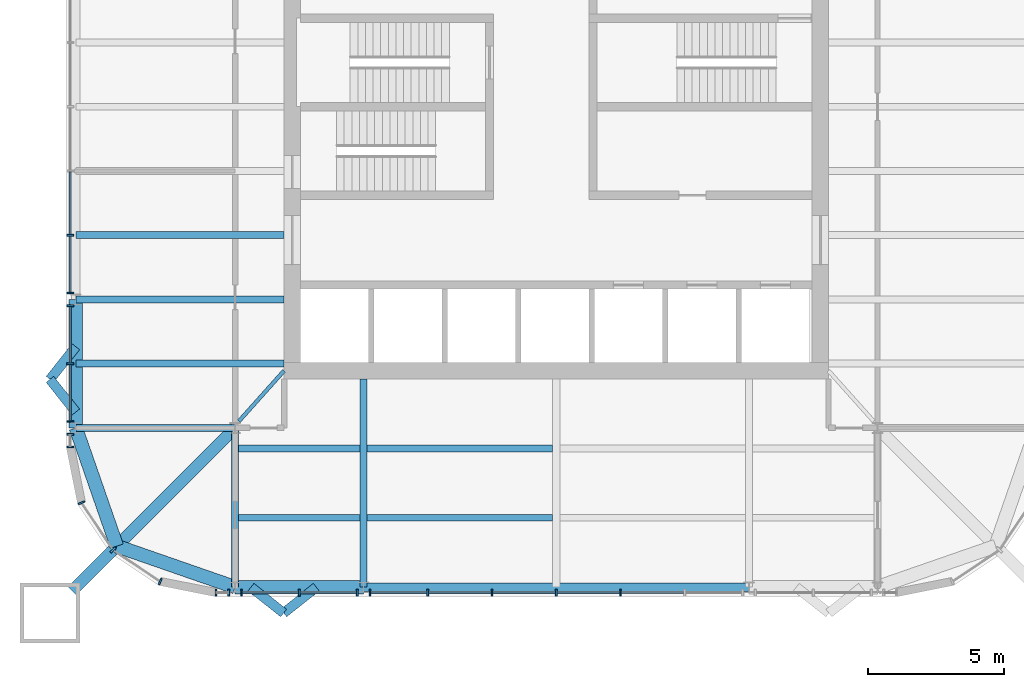
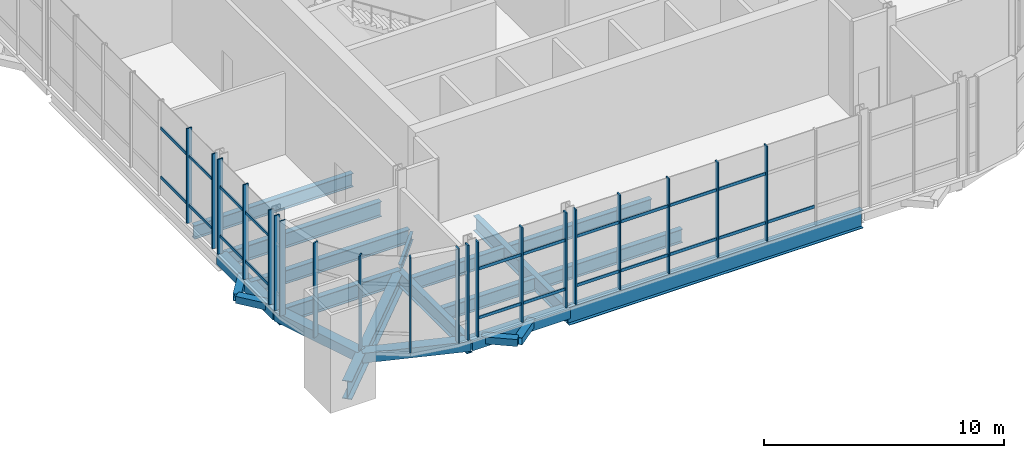
# One storey, part 2 of 15: 41 members, 21 beams, 7 elements without a shape of their own.
"""IFC4 building model written with IfcOpenShell, lengths in metres."""

from ifc_helpers import new_model, si_unit, direction, frame, origin, origin_2d, place, context, subcontext, project, spatial, rectangle, hollow_rectangle, i_section, extrude, material, material_profile, profile_set, type_object, element, aggregate, save


model = new_model("IFC4")

# Units and contexts
model_context = context("Model", 3, precision=1e-05, world=origin(), true_north=direction((0.0, 1.0)))
body_context = subcontext(model_context, "Body", "Model", "MODEL_VIEW")
ifc_project = project(units=[si_unit("LENGTHUNIT", "METRE"), si_unit("AREAUNIT", "SQUARE_METRE"), si_unit("VOLUMEUNIT", "CUBIC_METRE"), si_unit("PLANEANGLEUNIT", "RADIAN"), si_unit("MASSUNIT", "GRAM", prefix="KILO")], contexts=[model_context])

# Site, building, storey
site_placement = place(None, origin())
site = spatial("IfcSite", under=ifc_project, at=site_placement, CompositionType="ELEMENT")
building_placement = place(site_placement, origin())
building = spatial("IfcBuilding", under=site, at=building_placement, Name="Turquesa Mirador Hotel Tower", CompositionType="ELEMENT")
storey_placement = place(building_placement, frame((0.0, 0.0, 261.699951171875)))
storey = spatial("IfcBuildingStorey", under=building, at=storey_placement, Name="L71", CompositionType="ELEMENT", Elevation=261.699951171875)

# Beams
ifc_material_1 = material(Name="Steel ASTM A572 Grade 50", Category="steel")
ifc_material_profile_1 = material_profile(ifc_material_1, hollow_rectangle(XDim=0.5, YDim=0.5, WallThickness=0.01611328125, at=origin_2d()), Name="BOX500X500X16")
ifc_profile_set_1 = profile_set([ifc_material_profile_1], Name="Steel ASTM A572 Grade 50")
beam_type_1 = type_object("IfcBeamType", Name="BEAM BOX500X500X16", PredefinedType="BEAM", material=ifc_profile_set_1)
for number, where, z_axis, x_axis, name in (
    (1, (43.199951171875, 27.35009765625, -0.419921875), (1.0, 0.0, 0.0), (0.0, 1.0, 0.0), "EB-L71-S-L"),
    (2, (37.35009765625, 33.199951171875, -0.419921875), (0.0, 1.0, 0.0), (-1.0, 0.0, 0.0), "EB-L71-W-L"),
):
    element("IfcBeam", number, at=place(storey_placement, frame(where, z_axis=z_axis, x_axis=x_axis)), inside=storey, type_object=beam_type_1, Name=name, PredefinedType="BEAM", context=body_context, shape_type="SweptSolid", body=[
        extrude(hollow_rectangle(XDim=0.5, YDim=0.5, WallThickness=0.01611328125, at=origin_2d()), origin(), (0.0, 0.0, 1.0), 4.719970703125),
    ])
for number, where, z_axis, x_axis, name in (
    (3, (37.35009765625, 33.199951171875, -0.419921875), (0.328170356092, -0.944618556552, 0.0), (0.944618556552, 0.328170356092, 0.0), "KE-L71-3-0"),
    (4, (38.8583984375, 28.8583984375, -0.419921875), (0.944618556552, -0.328170356092, 0.0), (0.328170356092, 0.944618556552, 0.0), "KE-L71-3-1"),
):
    element("IfcBeam", number, at=place(storey_placement, frame(where, z_axis=z_axis, x_axis=x_axis)), inside=storey, type_object=beam_type_1, Name=name, PredefinedType="BEAM", context=body_context, shape_type="SweptSolid", body=[
        extrude(hollow_rectangle(XDim=0.5, YDim=0.5, WallThickness=0.01611328125, at=origin_2d()), origin(), (0.0, 0.0, 1.0), 4.59619140625),
    ])
ifc_material_2 = material(Name="Steel ASTM A992 Grade 50", Category="steel")
ifc_material_profile_2 = material_profile(ifc_material_2, i_section(OverallWidth=0.140380859375, OverallDepth=0.40380859375, WebThickness=0.007080078125, FlangeThickness=0.01123046875, at=origin_2d()), Name="W16X31")
ifc_profile_set_2 = profile_set([ifc_material_profile_2], Name="Steel ASTM A992 Grade 50")
beam_type_2 = type_object("IfcBeamType", Name="BEAM W16X31", PredefinedType="BEAM", material=ifc_profile_set_2)
beam_1_placement = place(storey_placement, frame((43.343505859375, 33.44873046875, -0.371826171875), z_axis=(0.666806350186, 0.745231032198, 0.0), x_axis=(-0.745231032198, 0.666806350186, 0.0)))
element("IfcBeam", 5, at=beam_1_placement, inside=storey, type_object=beam_type_2, Name="KT-L71-3", PredefinedType="BEAM", context=body_context, shape_type="SweptSolid", body=[
    extrude(i_section(OverallWidth=0.140380859375, OverallDepth=0.40380859375, WebThickness=0.007080078125, FlangeThickness=0.01123046875, at=origin_2d()), origin(), (0.0, 0.0, 1.0), 2.484130859375),
])
ifc_material_3 = material(Name="Steel ASTM A992 Grade 50", Category="steel")
ifc_material_profile_3 = material_profile(ifc_material_3, i_section(OverallWidth=0.25390625, OverallDepth=0.683349609375, WebThickness=0.012451171875, FlangeThickness=0.018798828125, at=origin_2d()), Name="W27X94")
ifc_profile_set_3 = profile_set([ifc_material_profile_3], Name="Steel ASTM A992 Grade 50")
beam_type_3 = type_object("IfcBeamType", Name="BEAM W27X94", PredefinedType="BEAM", material=ifc_profile_set_3)
beam_2_placement = place(storey_placement, frame((43.333251953125, 32.449951171875, -0.511474609375), z_axis=(1.0, 0.0, 0.0), x_axis=(0.0, 1.0, 0.0)))
element("IfcBeam", 6, at=beam_2_placement, inside=storey, type_object=beam_type_3, Name="IB-L71-S-1-0", PredefinedType="BEAM", context=body_context, shape_type="SweptSolid", body=[
    extrude(i_section(OverallWidth=0.25390625, OverallDepth=0.683349609375, WebThickness=0.012451171875, FlangeThickness=0.018798828125, at=origin_2d()), origin(), (0.0, 0.0, 1.0), 4.453369140625),
])
beam_3_placement = place(storey_placement, frame((48.053466796875, 32.449951171875, -0.511474609375), z_axis=(1.0, 0.0, 0.0), x_axis=(0.0, 1.0, 0.0)))
element("IfcBeam", 7, at=beam_3_placement, inside=storey, type_object=beam_type_3, Name="IB-L71-S-1-1", PredefinedType="BEAM", context=body_context, shape_type="SweptSolid", body=[
    extrude(i_section(OverallWidth=0.25390625, OverallDepth=0.683349609375, WebThickness=0.012451171875, FlangeThickness=0.018798828125, at=origin_2d()), origin(), (0.0, 0.0, 1.0), 6.813232421875),
])
beam_4_placement = place(storey_placement, frame((43.333251953125, 29.89990234375, -0.511474609375), z_axis=(1.0, 0.0, 0.0), x_axis=(0.0, 1.0, 0.0)))
element("IfcBeam", 8, at=beam_4_placement, inside=storey, type_object=beam_type_3, Name="IB-L71-S-2-0", PredefinedType="BEAM", context=body_context, shape_type="SweptSolid", body=[
    extrude(i_section(OverallWidth=0.25390625, OverallDepth=0.683349609375, WebThickness=0.012451171875, FlangeThickness=0.018798828125, at=origin_2d()), origin(), (0.0, 0.0, 1.0), 4.453369140625),
])
beam_5_placement = place(storey_placement, frame((48.053466796875, 29.89990234375, -0.511474609375), z_axis=(1.0, 0.0, 0.0), x_axis=(0.0, 1.0, 0.0)))
element("IfcBeam", 9, at=beam_5_placement, inside=storey, type_object=beam_type_3, Name="IB-L71-S-2-1", PredefinedType="BEAM", context=body_context, shape_type="SweptSolid", body=[
    extrude(i_section(OverallWidth=0.25390625, OverallDepth=0.683349609375, WebThickness=0.012451171875, FlangeThickness=0.018798828125, at=origin_2d()), origin(), (0.0, 0.0, 1.0), 6.813232421875),
])
for number, where, z_axis, x_axis, name in (
    (10, (37.35009765625, 35.56005859375, -0.511474609375), (1.0, 0.0, 0.0), (0.0, 1.0, 0.0), "BM-L71-W--9.44"),
    (11, (37.35009765625, 40.280029296875, -0.511474609375), (1.0, 0.0, 0.0), (0.0, 1.0, 0.0), "BM-L71-W--4.72"),
):
    element("IfcBeam", number, at=place(storey_placement, frame(where, z_axis=z_axis, x_axis=x_axis)), inside=storey, type_object=beam_type_3, Name=name, PredefinedType="BEAM", context=body_context, shape_type="SweptSolid", body=[
        extrude(i_section(OverallWidth=0.25390625, OverallDepth=0.683349609375, WebThickness=0.012451171875, FlangeThickness=0.018798828125, at=origin_2d()), origin(), (0.0, 0.0, 1.0), 7.64990234375),
    ])
ifc_material_4 = material(Name="Steel ASTM A992 Grade 50", Category="steel")
ifc_material_profile_4 = material_profile(ifc_material_4, i_section(OverallWidth=0.2666015625, OverallDepth=0.761962890625, WebThickness=0.014404296875, FlangeThickness=0.021484375, at=origin_2d()), Name="W30X116")
ifc_profile_set_4 = profile_set([ifc_material_profile_4], Name="Steel ASTM A992 Grade 50")
beam_type_4 = type_object("IfcBeamType", Name="BEAM W30X116", PredefinedType="BEAM", material=ifc_profile_set_4)
beam_6_placement = place(storey_placement, frame((47.919921875, 27.35009765625, -0.551025390625), z_axis=(0.0, 1.0, 0.0), x_axis=(-1.0, 0.0, 0.0)))
element("IfcBeam", 12, at=beam_6_placement, inside=storey, type_object=beam_type_4, Name="GD-L71-S--7.08", PredefinedType="BEAM", context=body_context, shape_type="SweptSolid", body=[
    extrude(i_section(OverallWidth=0.2666015625, OverallDepth=0.761962890625, WebThickness=0.014404296875, FlangeThickness=0.021484375, at=origin_2d()), origin(), (0.0, 0.0, 1.0), 7.64990234375),
])
beam_7_placement = place(storey_placement, frame((43.199951171875, 27.35009765625, -0.551025390625), z_axis=(0.0, 1.0, 0.0), x_axis=(-1.0, 0.0, 0.0)))
element("IfcBeam", 13, at=beam_7_placement, inside=storey, type_object=beam_type_4, Name="GK-L71-S--11.80", PredefinedType="BEAM", context=body_context, shape_type="SweptSolid", body=[
    extrude(i_section(OverallWidth=0.2666015625, OverallDepth=0.761962890625, WebThickness=0.014404296875, FlangeThickness=0.021484375, at=origin_2d()), origin(), (0.0, 0.0, 1.0), 5.849853515625),
])
beam_8_placement = place(storey_placement, frame((37.35009765625, 37.919921875, -0.551025390625), z_axis=(1.0, 0.0, 0.0), x_axis=(0.0, 1.0, 0.0)))
element("IfcBeam", 14, at=beam_8_placement, inside=storey, type_object=beam_type_4, Name="GD-L71-W--7.08", PredefinedType="BEAM", context=body_context, shape_type="SweptSolid", body=[
    extrude(i_section(OverallWidth=0.2666015625, OverallDepth=0.761962890625, WebThickness=0.014404296875, FlangeThickness=0.021484375, at=origin_2d()), origin(), (0.0, 0.0, 1.0), 7.64990234375),
])
beam_9_placement = place(storey_placement, frame((37.35009765625, 33.199951171875, -0.551025390625), z_axis=(1.0, 0.0, 0.0), x_axis=(0.0, 1.0, 0.0)))
element("IfcBeam", 15, at=beam_9_placement, inside=storey, type_object=beam_type_4, Name="GK-L71-W--11.80", PredefinedType="BEAM", context=body_context, shape_type="SweptSolid", body=[
    extrude(i_section(OverallWidth=0.2666015625, OverallDepth=0.761962890625, WebThickness=0.014404296875, FlangeThickness=0.021484375, at=origin_2d()), origin(), (0.0, 0.0, 1.0), 5.849853515625),
])
ifc_material_5 = material(Name="Steel ASTM A992 Grade 50", Category="steel")
ifc_material_profile_5 = material_profile(ifc_material_5, i_section(OverallWidth=0.3046875, OverallDepth=0.911865234375, WebThickness=0.015869140625, FlangeThickness=0.02392578125, at=origin_2d()), Name="W36X150")
ifc_profile_set_5 = profile_set([ifc_material_profile_5], Name="Steel ASTM A992 Grade 50")
beam_type_5 = type_object("IfcBeamType", Name="BEAM W36X150", PredefinedType="BEAM", material=ifc_profile_set_5)
beam_10_placement = place(storey_placement, frame((47.919921875, 27.35009765625, -0.6259765625), z_axis=(1.0, 0.0, 0.0), x_axis=(0.0, 1.0, 0.0)))
element("IfcBeam", 16, at=beam_10_placement, inside=storey, type_object=beam_type_5, Name="EB-L71-S-C", PredefinedType="BEAM", context=body_context, shape_type="SweptSolid", body=[
    extrude(i_section(OverallWidth=0.3046875, OverallDepth=0.911865234375, WebThickness=0.015869140625, FlangeThickness=0.02392578125, at=origin_2d()), origin(), (0.0, 0.0, 1.0), 14.16015625),
])
ifc_material_6 = material(Name="Steel ASTM A992 Grade 50", Category="steel")
ifc_material_profile_6 = material_profile(ifc_material_6, i_section(OverallWidth=0.419189453125, OverallDepth=0.927001953125, WebThickness=0.019287109375, FlangeThickness=0.031982421875, at=origin_2d()), Name="W36X231")
ifc_profile_set_6 = profile_set([ifc_material_profile_6], Name="Steel ASTM A992 Grade 50")
beam_type_6 = type_object("IfcBeamType", Name="BEAM W36X231", PredefinedType="BEAM", material=ifc_profile_set_6)
beam_11_placement = place(storey_placement, frame((43.199951171875, 33.199951171875, -0.633544921875), z_axis=(-0.707106781187, -0.707106781187, 0.0), x_axis=(0.707106781187, -0.707106781187, 0.0)))
element("IfcBeam", 17, at=beam_11_placement, inside=storey, type_object=beam_type_6, Name="KD-L71-3", PredefinedType="BEAM", context=body_context, shape_type="SweptSolid", body=[
    extrude(i_section(OverallWidth=0.419189453125, OverallDepth=0.927001953125, WebThickness=0.019287109375, FlangeThickness=0.031982421875, at=origin_2d()), origin(), (0.0, 0.0, 1.0), 8.46240234375),
])
ifc_material_7 = material(Name="Steel ASTM A500 Grade C", Category="steel")
ifc_material_profile_7 = material_profile(ifc_material_7, hollow_rectangle(XDim=0.355712890625, YDim=0.355712890625, WallThickness=0.0146484375, at=origin_2d()), Name="HSS14X14X5/8")
ifc_profile_set_7 = profile_set([ifc_material_profile_7], Name="Steel ASTM A500 Grade C")
beam_type_7 = type_object("IfcBeamType", Name="BRACE STRUT HSS14X14X5/8", PredefinedType="BEAM", material=ifc_profile_set_7)
for number, where, z_axis, x_axis, name in (
    (18, (44.984619140625, 26.39990234375, -0.34765625), (-0.783971428146, 0.620796907089, 0.0), (-0.620796907089, -0.783971428146, 0.0), "Brace strut"),
    (19, (44.984619140625, 26.39990234375, -0.34765625), (0.783971428146, 0.620796907089, 0.0), (-0.620796907089, 0.783971428146, 0.0), "Brace strut"),
    (20, (36.39990234375, 34.984619140625, -0.34765625), (0.620796907089, -0.783971428146, 0.0), (0.783971428146, 0.620796907089, 0.0), "Brace strut"),
    (21, (36.39990234375, 34.984619140625, -0.34765625), (0.620796907089, 0.783971428146, 0.0), (-0.783971428146, 0.620796907089, 0.0), "Brace strut"),
):
    element("IfcBeam", number, at=place(storey_placement, frame(where, z_axis=z_axis, x_axis=x_axis)), inside=storey, type_object=beam_type_7, Name=name, PredefinedType="BEAM", context=body_context, shape_type="SweptSolid", body=[
        extrude(hollow_rectangle(XDim=0.355712890625, YDim=0.355712890625, WallThickness=0.0146484375, at=origin_2d()), origin(), (0.0, 0.0, 1.0), 1.530517578125),
    ])

# Curtain wall, members
ifc_material_8 = material(Name="Aluminium extrusion", Category="aluminium")
curtain_wall_type = type_object("IfcCurtainWallType", Name="CW-5 SKY RESTAURANT CURTAIN WALL", PredefinedType="USERDEFINED", material=ifc_material_8)
curtain_wall_1_placement = place(storey_placement, origin())
curtain_wall_1 = element("IfcCurtainWall", 22, at=curtain_wall_1_placement, inside=storey, type_object=curtain_wall_type, Name="CW-5 SKY RESTAURANT CURTAIN WALL L71", ObjectType="CURTAIN WALL", PredefinedType="USERDEFINED")
ifc_material_9 = material(Name="Aluminium extrusion", Category="aluminium")
ifc_material_profile_8 = material_profile(ifc_material_9, rectangle(XDim=0.06494140625, YDim=0.25, at=origin_2d()), Name="MULLION 65X250")
ifc_profile_set_8 = profile_set([ifc_material_profile_8], Name="Aluminium extrusion")
member_type_1 = type_object("IfcMemberType", Name="CW MULLION 65X250", PredefinedType="MULLION", material=ifc_profile_set_8)
member_1_placement = place(storey_placement, frame((37.14990234375, 40.280029296875, 0.0), z_axis=(0.0, 0.0, 1.0), x_axis=(0.0, -1.0, 0.0)))
member_1 = element("IfcMember", 23, at=member_1_placement, type_object=member_type_1, Name="Mullion", PredefinedType="MULLION", context=body_context, shape_type="SweptSolid", body=[
    extrude(rectangle(XDim=0.06494140625, YDim=0.25, at=origin_2d()), origin(), (0.0, 0.0, 1.0), 4.830078125),
])
member_2_placement = place(storey_placement, frame((37.14990234375, 38.15380859375, 0.0), z_axis=(0.0, 0.0, 1.0), x_axis=(0.0, -1.0, 0.0)))
member_2 = element("IfcMember", 24, at=member_2_placement, type_object=member_type_1, Name="Mullion", PredefinedType="MULLION", context=body_context, shape_type="SweptSolid", body=[
    extrude(rectangle(XDim=0.06494140625, YDim=0.25, at=origin_2d()), origin(), (0.0, 0.0, 1.0), 4.830078125),
])

curtain_wall_2_placement = place(storey_placement, origin())
curtain_wall_2 = element("IfcCurtainWall", 25, at=curtain_wall_2_placement, inside=storey, type_object=curtain_wall_type, Name="CW-5 SKY RESTAURANT CURTAIN WALL L71", ObjectType="CURTAIN WALL", PredefinedType="USERDEFINED")
member_3_placement = place(storey_placement, frame((37.14990234375, 37.68603515625, 0.0), z_axis=(0.0, 0.0, 1.0), x_axis=(0.0, -1.0, 0.0)))
member_3 = element("IfcMember", 26, at=member_3_placement, type_object=member_type_1, Name="Mullion", PredefinedType="MULLION", context=body_context, shape_type="SweptSolid", body=[
    extrude(rectangle(XDim=0.06494140625, YDim=0.25, at=origin_2d()), origin(), (0.0, 0.0, 1.0), 4.830078125),
])
member_4_placement = place(storey_placement, frame((37.14990234375, 35.56005859375, 0.0), z_axis=(0.0, 0.0, 1.0), x_axis=(0.0, -1.0, 0.0)))
member_4 = element("IfcMember", 27, at=member_4_placement, type_object=member_type_1, Name="Mullion", PredefinedType="MULLION", context=body_context, shape_type="SweptSolid", body=[
    extrude(rectangle(XDim=0.06494140625, YDim=0.25, at=origin_2d()), origin(), (0.0, 0.0, 1.0), 4.830078125),
])
member_5_placement = place(storey_placement, frame((37.14990234375, 33.433837890625, 0.0), z_axis=(0.0, 0.0, 1.0), x_axis=(0.0, -1.0, 0.0)))
member_5 = element("IfcMember", 28, at=member_5_placement, type_object=member_type_1, Name="Mullion", PredefinedType="MULLION", context=body_context, shape_type="SweptSolid", body=[
    extrude(rectangle(XDim=0.06494140625, YDim=0.25, at=origin_2d()), origin(), (0.0, 0.0, 1.0), 4.830078125),
])

curtain_wall_3_placement = place(storey_placement, origin())
curtain_wall_3 = element("IfcCurtainWall", 29, at=curtain_wall_3_placement, inside=storey, type_object=curtain_wall_type, Name="CW-5 SKY RESTAURANT CURTAIN WALL L71", ObjectType="CURTAIN WALL", PredefinedType="USERDEFINED")
member_6_placement = place(storey_placement, frame((37.14990234375, 32.966064453125, 0.0), z_axis=(0.0, 0.0, 1.0), x_axis=(0.0, -1.0, 0.0)))
member_6 = element("IfcMember", 30, at=member_6_placement, type_object=member_type_1, Name="Mullion", PredefinedType="MULLION", context=body_context, shape_type="SweptSolid", body=[
    extrude(rectangle(XDim=0.06494140625, YDim=0.25, at=origin_2d()), origin(), (0.0, 0.0, 1.0), 4.830078125),
])
member_7_placement = place(storey_placement, frame((37.14990234375, 32.5, 0.0), z_axis=(0.0, 0.0, 1.0), x_axis=(0.0, -1.0, 0.0)))
member_7 = element("IfcMember", 31, at=member_7_placement, type_object=member_type_1, Name="Mullion", PredefinedType="MULLION", context=body_context, shape_type="SweptSolid", body=[
    extrude(rectangle(XDim=0.06494140625, YDim=0.25, at=origin_2d()), origin(), (0.0, 0.0, 1.0), 4.830078125),
])
aggregate(curtain_wall_3, [member_6, member_7])

curtain_wall_4_placement = place(storey_placement, origin())
curtain_wall_4 = element("IfcCurtainWall", 32, at=curtain_wall_4_placement, inside=storey, type_object=curtain_wall_type, Name="CW-5 SKY RESTAURANT CURTAIN WALL L71", ObjectType="CURTAIN WALL", PredefinedType="USERDEFINED")
member_8_placement = place(storey_placement, frame((37.55712890625, 30.45263671875, 0.0), z_axis=(0.0, 0.0, 1.0), x_axis=(0.382683432365, -0.923879532511, 0.0)))
member_8 = element("IfcMember", 33, at=member_8_placement, type_object=member_type_1, Name="Mullion", PredefinedType="MULLION", context=body_context, shape_type="SweptSolid", body=[
    extrude(rectangle(XDim=0.06494140625, YDim=0.25, at=origin_2d()), origin(), (0.0, 0.0, 1.0), 4.830078125),
])
member_9_placement = place(storey_placement, frame((38.717041015625, 28.717041015625, 0.0), z_axis=(0.0, 0.0, 1.0), x_axis=(0.707106781187, -0.707106781187, 0.0)))
member_9 = element("IfcMember", 34, at=member_9_placement, type_object=member_type_1, Name="Mullion", PredefinedType="MULLION", context=body_context, shape_type="SweptSolid", body=[
    extrude(rectangle(XDim=0.06494140625, YDim=0.25, at=origin_2d()), origin(), (0.0, 0.0, 1.0), 4.830078125),
])
member_10_placement = place(storey_placement, frame((40.45263671875, 27.55712890625, 0.0), z_axis=(0.0, 0.0, 1.0), x_axis=(0.923879532511, -0.382683432365, 0.0)))
member_10 = element("IfcMember", 35, at=member_10_placement, type_object=member_type_1, Name="Mullion", PredefinedType="MULLION", context=body_context, shape_type="SweptSolid", body=[
    extrude(rectangle(XDim=0.06494140625, YDim=0.25, at=origin_2d()), origin(), (0.0, 0.0, 1.0), 4.830078125),
])
aggregate(curtain_wall_4, [member_8, member_9, member_10])

curtain_wall_5_placement = place(storey_placement, origin())
curtain_wall_5 = element("IfcCurtainWall", 36, at=curtain_wall_5_placement, inside=storey, type_object=curtain_wall_type, Name="CW-5 SKY RESTAURANT CURTAIN WALL L71", ObjectType="CURTAIN WALL", PredefinedType="USERDEFINED")
member_11_placement = place(storey_placement, frame((42.5, 27.14990234375, 0.0), z_axis=(0.0, 0.0, 1.0), x_axis=(1.0, 0.0, 0.0)))
member_11 = element("IfcMember", 37, at=member_11_placement, type_object=member_type_1, Name="Mullion", PredefinedType="MULLION", context=body_context, shape_type="SweptSolid", body=[
    extrude(rectangle(XDim=0.06494140625, YDim=0.25, at=origin_2d()), origin(), (0.0, 0.0, 1.0), 4.830078125),
])
member_12_placement = place(storey_placement, frame((42.966064453125, 27.14990234375, 0.0), z_axis=(0.0, 0.0, 1.0), x_axis=(1.0, 0.0, 0.0)))
member_12 = element("IfcMember", 38, at=member_12_placement, type_object=member_type_1, Name="Mullion", PredefinedType="MULLION", context=body_context, shape_type="SweptSolid", body=[
    extrude(rectangle(XDim=0.06494140625, YDim=0.25, at=origin_2d()), origin(), (0.0, 0.0, 1.0), 4.830078125),
])
aggregate(curtain_wall_5, [member_11, member_12])

curtain_wall_6_placement = place(storey_placement, origin())
curtain_wall_6 = element("IfcCurtainWall", 39, at=curtain_wall_6_placement, inside=storey, type_object=curtain_wall_type, Name="CW-5 SKY RESTAURANT CURTAIN WALL L71", ObjectType="CURTAIN WALL", PredefinedType="USERDEFINED")
member_13_placement = place(storey_placement, frame((43.433837890625, 27.14990234375, 0.0), z_axis=(0.0, 0.0, 1.0), x_axis=(1.0, 0.0, 0.0)))
member_13 = element("IfcMember", 40, at=member_13_placement, type_object=member_type_1, Name="Mullion", PredefinedType="MULLION", context=body_context, shape_type="SweptSolid", body=[
    extrude(rectangle(XDim=0.06494140625, YDim=0.25, at=origin_2d()), origin(), (0.0, 0.0, 1.0), 4.830078125),
])
member_14_placement = place(storey_placement, frame((45.56005859375, 27.14990234375, 0.0), z_axis=(0.0, 0.0, 1.0), x_axis=(1.0, 0.0, 0.0)))
member_14 = element("IfcMember", 41, at=member_14_placement, type_object=member_type_1, Name="Mullion", PredefinedType="MULLION", context=body_context, shape_type="SweptSolid", body=[
    extrude(rectangle(XDim=0.06494140625, YDim=0.25, at=origin_2d()), origin(), (0.0, 0.0, 1.0), 4.830078125),
])
member_15_placement = place(storey_placement, frame((47.68603515625, 27.14990234375, 0.0), z_axis=(0.0, 0.0, 1.0), x_axis=(1.0, 0.0, 0.0)))
member_15 = element("IfcMember", 42, at=member_15_placement, type_object=member_type_1, Name="Mullion", PredefinedType="MULLION", context=body_context, shape_type="SweptSolid", body=[
    extrude(rectangle(XDim=0.06494140625, YDim=0.25, at=origin_2d()), origin(), (0.0, 0.0, 1.0), 4.830078125),
])

curtain_wall_7_placement = place(storey_placement, origin())
curtain_wall_7 = element("IfcCurtainWall", 43, at=curtain_wall_7_placement, inside=storey, type_object=curtain_wall_type, Name="CW-5 SKY RESTAURANT CURTAIN WALL L71", ObjectType="CURTAIN WALL", PredefinedType="USERDEFINED")
member_16_placement = place(storey_placement, frame((48.15380859375, 27.14990234375, 0.0), z_axis=(0.0, 0.0, 1.0), x_axis=(1.0, 0.0, 0.0)))
member_16 = element("IfcMember", 44, at=member_16_placement, type_object=member_type_1, Name="Mullion", PredefinedType="MULLION", context=body_context, shape_type="SweptSolid", body=[
    extrude(rectangle(XDim=0.06494140625, YDim=0.25, at=origin_2d()), origin(), (0.0, 0.0, 1.0), 4.830078125),
])
member_17_placement = place(storey_placement, frame((50.280029296875, 27.14990234375, 0.0), z_axis=(0.0, 0.0, 1.0), x_axis=(1.0, 0.0, 0.0)))
member_17 = element("IfcMember", 45, at=member_17_placement, type_object=member_type_1, Name="Mullion", PredefinedType="MULLION", context=body_context, shape_type="SweptSolid", body=[
    extrude(rectangle(XDim=0.06494140625, YDim=0.25, at=origin_2d()), origin(), (0.0, 0.0, 1.0), 4.830078125),
])
member_18_placement = place(storey_placement, frame((52.639892578125, 27.14990234375, 0.0), z_axis=(0.0, 0.0, 1.0), x_axis=(1.0, 0.0, 0.0)))
member_18 = element("IfcMember", 46, at=member_18_placement, type_object=member_type_1, Name="Mullion", PredefinedType="MULLION", context=body_context, shape_type="SweptSolid", body=[
    extrude(rectangle(XDim=0.06494140625, YDim=0.25, at=origin_2d()), origin(), (0.0, 0.0, 1.0), 4.830078125),
])
member_19_placement = place(storey_placement, frame((55.0, 27.14990234375, 0.0), z_axis=(0.0, 0.0, 1.0), x_axis=(1.0, 0.0, 0.0)))
member_19 = element("IfcMember", 47, at=member_19_placement, type_object=member_type_1, Name="Mullion", PredefinedType="MULLION", context=body_context, shape_type="SweptSolid", body=[
    extrude(rectangle(XDim=0.06494140625, YDim=0.25, at=origin_2d()), origin(), (0.0, 0.0, 1.0), 4.830078125),
])
member_20_placement = place(storey_placement, frame((57.360107421875, 27.14990234375, 0.0), z_axis=(0.0, 0.0, 1.0), x_axis=(1.0, 0.0, 0.0)))
member_20 = element("IfcMember", 48, at=member_20_placement, type_object=member_type_1, Name="Mullion", PredefinedType="MULLION", context=body_context, shape_type="SweptSolid", body=[
    extrude(rectangle(XDim=0.06494140625, YDim=0.25, at=origin_2d()), origin(), (0.0, 0.0, 1.0), 4.830078125),
])

# Member
ifc_material_10 = material(Name="Aluminium extrusion", Category="aluminium")
ifc_material_profile_9 = material_profile(ifc_material_10, rectangle(XDim=0.06494140625, YDim=0.14990234375, at=origin_2d()), Name="TRANSOM 65X150")
ifc_profile_set_9 = profile_set([ifc_material_profile_9], Name="Aluminium extrusion")
member_type_2 = type_object("IfcMemberType", Name="CW TRANSOM 65X150", PredefinedType="USERDEFINED", material=ifc_profile_set_9)
member_21_placement = place(storey_placement, frame((37.14990234375, 42.607421875, 0.900146484375), z_axis=(0.0, -1.0, 0.0), x_axis=(1.0, 0.0, 0.0)))
member_21 = element("IfcMember", 49, at=member_21_placement, type_object=member_type_2, Name="Transom", ObjectType="TRANSOM", PredefinedType="USERDEFINED", context=body_context, shape_type="SweptSolid", body=[
    extrude(rectangle(XDim=0.06494140625, YDim=0.14990234375, at=origin_2d()), origin(), (0.0, 0.0, 1.0), 2.294921875),
])

member_22_placement = place(storey_placement, frame((37.14990234375, 42.607421875, 3.400146484375), z_axis=(0.0, -1.0, 0.0), x_axis=(1.0, 0.0, 0.0)))
member_22 = element("IfcMember", 50, at=member_22_placement, type_object=member_type_2, Name="Transom", ObjectType="TRANSOM", PredefinedType="USERDEFINED", context=body_context, shape_type="SweptSolid", body=[
    extrude(rectangle(XDim=0.06494140625, YDim=0.14990234375, at=origin_2d()), origin(), (0.0, 0.0, 1.0), 2.294921875),
])

member_23_placement = place(storey_placement, frame((37.14990234375, 40.24755859375, 0.900146484375), z_axis=(0.0, -1.0, 0.0), x_axis=(1.0, 0.0, 0.0)))
member_23 = element("IfcMember", 51, at=member_23_placement, type_object=member_type_2, Name="Transom", ObjectType="TRANSOM", PredefinedType="USERDEFINED", context=body_context, shape_type="SweptSolid", body=[
    extrude(rectangle(XDim=0.06494140625, YDim=0.14990234375, at=origin_2d()), origin(), (0.0, 0.0, 1.0), 2.061279296875),
])

member_24_placement = place(storey_placement, frame((37.14990234375, 40.24755859375, 3.400146484375), z_axis=(0.0, -1.0, 0.0), x_axis=(1.0, 0.0, 0.0)))
member_24 = element("IfcMember", 52, at=member_24_placement, type_object=member_type_2, Name="Transom", ObjectType="TRANSOM", PredefinedType="USERDEFINED", context=body_context, shape_type="SweptSolid", body=[
    extrude(rectangle(XDim=0.06494140625, YDim=0.14990234375, at=origin_2d()), origin(), (0.0, 0.0, 1.0), 2.061279296875),
])

aggregate(curtain_wall_1, [member_1, member_2, member_21, member_22, member_23, member_24])

member_25_placement = place(storey_placement, frame((37.14990234375, 37.653564453125, 0.900146484375), z_axis=(0.0, -1.0, 0.0), x_axis=(1.0, 0.0, 0.0)))
member_25 = element("IfcMember", 53, at=member_25_placement, type_object=member_type_2, Name="Transom", ObjectType="TRANSOM", PredefinedType="USERDEFINED", context=body_context, shape_type="SweptSolid", body=[
    extrude(rectangle(XDim=0.06494140625, YDim=0.14990234375, at=origin_2d()), origin(), (0.0, 0.0, 1.0), 2.06103515625),
])

member_26_placement = place(storey_placement, frame((37.14990234375, 37.653564453125, 3.400146484375), z_axis=(0.0, -1.0, 0.0), x_axis=(1.0, 0.0, 0.0)))
member_26 = element("IfcMember", 54, at=member_26_placement, type_object=member_type_2, Name="Transom", ObjectType="TRANSOM", PredefinedType="USERDEFINED", context=body_context, shape_type="SweptSolid", body=[
    extrude(rectangle(XDim=0.06494140625, YDim=0.14990234375, at=origin_2d()), origin(), (0.0, 0.0, 1.0), 2.06103515625),
])

member_27_placement = place(storey_placement, frame((37.14990234375, 35.527587890625, 0.900146484375), z_axis=(0.0, -1.0, 0.0), x_axis=(1.0, 0.0, 0.0)))
member_27 = element("IfcMember", 55, at=member_27_placement, type_object=member_type_2, Name="Transom", ObjectType="TRANSOM", PredefinedType="USERDEFINED", context=body_context, shape_type="SweptSolid", body=[
    extrude(rectangle(XDim=0.06494140625, YDim=0.14990234375, at=origin_2d()), origin(), (0.0, 0.0, 1.0), 2.061279296875),
])

member_28_placement = place(storey_placement, frame((37.14990234375, 35.527587890625, 3.400146484375), z_axis=(0.0, -1.0, 0.0), x_axis=(1.0, 0.0, 0.0)))
member_28 = element("IfcMember", 56, at=member_28_placement, type_object=member_type_2, Name="Transom", ObjectType="TRANSOM", PredefinedType="USERDEFINED", context=body_context, shape_type="SweptSolid", body=[
    extrude(rectangle(XDim=0.06494140625, YDim=0.14990234375, at=origin_2d()), origin(), (0.0, 0.0, 1.0), 2.061279296875),
])

aggregate(curtain_wall_2, [member_3, member_4, member_5, member_25, member_26, member_27, member_28])

member_29_placement = place(storey_placement, frame((43.46630859375, 27.14990234375, 0.900146484375), z_axis=(1.0, 0.0, 0.0), x_axis=(0.0, 1.0, 0.0)))
member_29 = element("IfcMember", 57, at=member_29_placement, type_object=member_type_2, Name="Transom", ObjectType="TRANSOM", PredefinedType="USERDEFINED", context=body_context, shape_type="SweptSolid", body=[
    extrude(rectangle(XDim=0.06494140625, YDim=0.14990234375, at=origin_2d()), origin(), (0.0, 0.0, 1.0), 2.061279296875),
])

member_30_placement = place(storey_placement, frame((43.46630859375, 27.14990234375, 3.400146484375), z_axis=(1.0, 0.0, 0.0), x_axis=(0.0, 1.0, 0.0)))
member_30 = element("IfcMember", 58, at=member_30_placement, type_object=member_type_2, Name="Transom", ObjectType="TRANSOM", PredefinedType="USERDEFINED", context=body_context, shape_type="SweptSolid", body=[
    extrude(rectangle(XDim=0.06494140625, YDim=0.14990234375, at=origin_2d()), origin(), (0.0, 0.0, 1.0), 2.061279296875),
])

member_31_placement = place(storey_placement, frame((45.592529296875, 27.14990234375, 0.900146484375), z_axis=(1.0, 0.0, 0.0), x_axis=(0.0, 1.0, 0.0)))
member_31 = element("IfcMember", 59, at=member_31_placement, type_object=member_type_2, Name="Transom", ObjectType="TRANSOM", PredefinedType="USERDEFINED", context=body_context, shape_type="SweptSolid", body=[
    extrude(rectangle(XDim=0.06494140625, YDim=0.14990234375, at=origin_2d()), origin(), (0.0, 0.0, 1.0), 2.06103515625),
])

member_32_placement = place(storey_placement, frame((45.592529296875, 27.14990234375, 3.400146484375), z_axis=(1.0, 0.0, 0.0), x_axis=(0.0, 1.0, 0.0)))
member_32 = element("IfcMember", 60, at=member_32_placement, type_object=member_type_2, Name="Transom", ObjectType="TRANSOM", PredefinedType="USERDEFINED", context=body_context, shape_type="SweptSolid", body=[
    extrude(rectangle(XDim=0.06494140625, YDim=0.14990234375, at=origin_2d()), origin(), (0.0, 0.0, 1.0), 2.06103515625),
])

aggregate(curtain_wall_6, [member_13, member_14, member_15, member_29, member_30, member_31, member_32])

member_33_placement = place(storey_placement, frame((48.186279296875, 27.14990234375, 0.900146484375), z_axis=(1.0, 0.0, 0.0), x_axis=(0.0, 1.0, 0.0)))
member_33 = element("IfcMember", 61, at=member_33_placement, type_object=member_type_2, Name="Transom", ObjectType="TRANSOM", PredefinedType="USERDEFINED", context=body_context, shape_type="SweptSolid", body=[
    extrude(rectangle(XDim=0.06494140625, YDim=0.14990234375, at=origin_2d()), origin(), (0.0, 0.0, 1.0), 2.061279296875),
])

member_34_placement = place(storey_placement, frame((48.186279296875, 27.14990234375, 3.400146484375), z_axis=(1.0, 0.0, 0.0), x_axis=(0.0, 1.0, 0.0)))
member_34 = element("IfcMember", 62, at=member_34_placement, type_object=member_type_2, Name="Transom", ObjectType="TRANSOM", PredefinedType="USERDEFINED", context=body_context, shape_type="SweptSolid", body=[
    extrude(rectangle(XDim=0.06494140625, YDim=0.14990234375, at=origin_2d()), origin(), (0.0, 0.0, 1.0), 2.061279296875),
])

member_35_placement = place(storey_placement, frame((50.3125, 27.14990234375, 0.900146484375), z_axis=(1.0, 0.0, 0.0), x_axis=(0.0, 1.0, 0.0)))
member_35 = element("IfcMember", 63, at=member_35_placement, type_object=member_type_2, Name="Transom", ObjectType="TRANSOM", PredefinedType="USERDEFINED", context=body_context, shape_type="SweptSolid", body=[
    extrude(rectangle(XDim=0.06494140625, YDim=0.14990234375, at=origin_2d()), origin(), (0.0, 0.0, 1.0), 2.294921875),
])

member_36_placement = place(storey_placement, frame((50.3125, 27.14990234375, 3.400146484375), z_axis=(1.0, 0.0, 0.0), x_axis=(0.0, 1.0, 0.0)))
member_36 = element("IfcMember", 64, at=member_36_placement, type_object=member_type_2, Name="Transom", ObjectType="TRANSOM", PredefinedType="USERDEFINED", context=body_context, shape_type="SweptSolid", body=[
    extrude(rectangle(XDim=0.06494140625, YDim=0.14990234375, at=origin_2d()), origin(), (0.0, 0.0, 1.0), 2.294921875),
])

member_37_placement = place(storey_placement, frame((52.672607421875, 27.14990234375, 0.900146484375), z_axis=(1.0, 0.0, 0.0), x_axis=(0.0, 1.0, 0.0)))
member_37 = element("IfcMember", 65, at=member_37_placement, type_object=member_type_2, Name="Transom", ObjectType="TRANSOM", PredefinedType="USERDEFINED", context=body_context, shape_type="SweptSolid", body=[
    extrude(rectangle(XDim=0.06494140625, YDim=0.14990234375, at=origin_2d()), origin(), (0.0, 0.0, 1.0), 2.294921875),
])

member_38_placement = place(storey_placement, frame((52.672607421875, 27.14990234375, 3.400146484375), z_axis=(1.0, 0.0, 0.0), x_axis=(0.0, 1.0, 0.0)))
member_38 = element("IfcMember", 66, at=member_38_placement, type_object=member_type_2, Name="Transom", ObjectType="TRANSOM", PredefinedType="USERDEFINED", context=body_context, shape_type="SweptSolid", body=[
    extrude(rectangle(XDim=0.06494140625, YDim=0.14990234375, at=origin_2d()), origin(), (0.0, 0.0, 1.0), 2.294921875),
])

member_39_placement = place(storey_placement, frame((55.032470703125, 27.14990234375, 0.900146484375), z_axis=(1.0, 0.0, 0.0), x_axis=(0.0, 1.0, 0.0)))
member_39 = element("IfcMember", 67, at=member_39_placement, type_object=member_type_2, Name="Transom", ObjectType="TRANSOM", PredefinedType="USERDEFINED", context=body_context, shape_type="SweptSolid", body=[
    extrude(rectangle(XDim=0.06494140625, YDim=0.14990234375, at=origin_2d()), origin(), (0.0, 0.0, 1.0), 2.294921875),
])

member_40_placement = place(storey_placement, frame((55.032470703125, 27.14990234375, 3.400146484375), z_axis=(1.0, 0.0, 0.0), x_axis=(0.0, 1.0, 0.0)))
member_40 = element("IfcMember", 68, at=member_40_placement, type_object=member_type_2, Name="Transom", ObjectType="TRANSOM", PredefinedType="USERDEFINED", context=body_context, shape_type="SweptSolid", body=[
    extrude(rectangle(XDim=0.06494140625, YDim=0.14990234375, at=origin_2d()), origin(), (0.0, 0.0, 1.0), 2.294921875),
])

member_41_placement = place(storey_placement, frame((57.392578125, 27.14990234375, 0.900146484375), z_axis=(1.0, 0.0, 0.0), x_axis=(0.0, 1.0, 0.0)))
member_41 = element("IfcMember", 69, at=member_41_placement, type_object=member_type_2, Name="Transom", ObjectType="TRANSOM", PredefinedType="USERDEFINED", context=body_context, shape_type="SweptSolid", body=[
    extrude(rectangle(XDim=0.06494140625, YDim=0.14990234375, at=origin_2d()), origin(), (0.0, 0.0, 1.0), 2.294921875),
])

aggregate(curtain_wall_7, [member_16, member_17, member_18, member_19, member_20, member_33, member_34, member_35, member_36, member_37, member_38, member_39, member_40, member_41])

save(model, "model.ifc")
